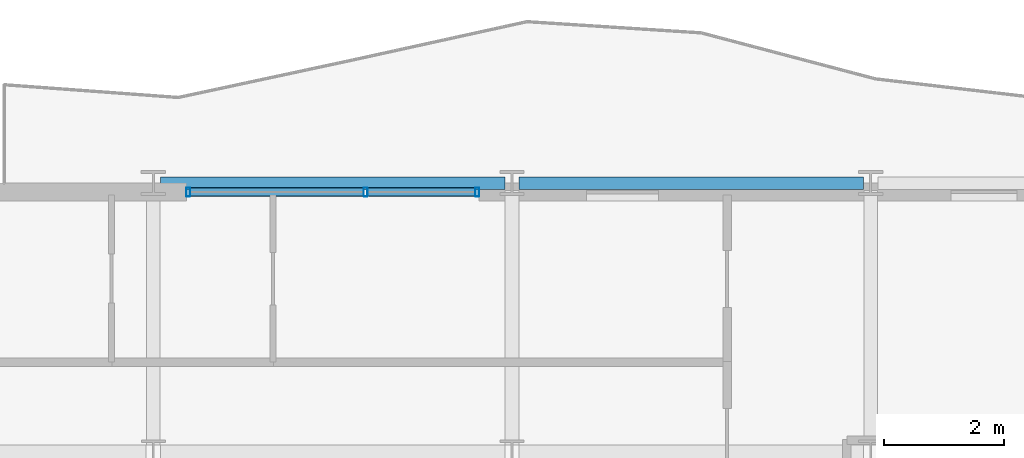
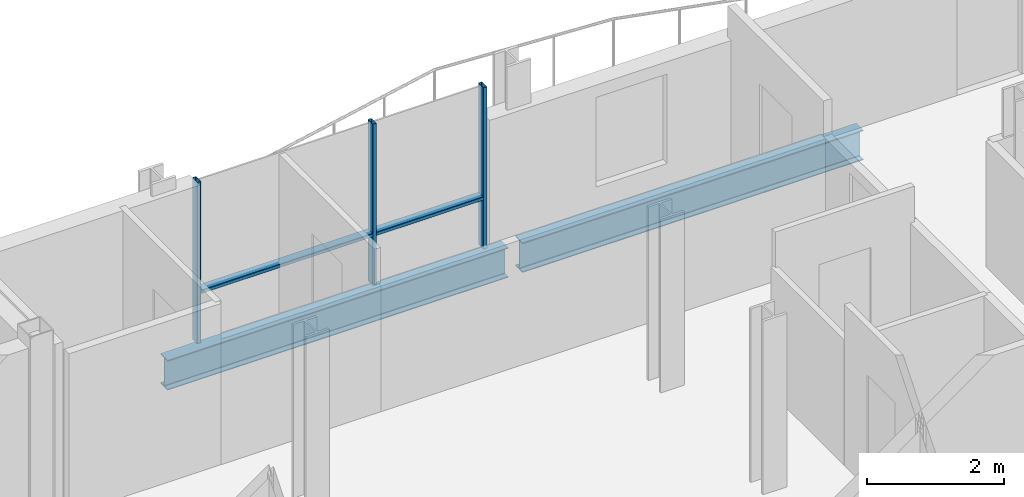
# One storey, part 23 of 41: 5 members, 2 beams, 1 element without a shape of its own.
"""IFC4 building model written with IfcOpenShell, lengths in metres."""

from ifc_helpers import new_model, si_unit, direction, frame, origin, origin_2d, place, context, subcontext, project, spatial, hollow_rectangle, i_section, extrude, material, layer, layer_set, material_profile, profile_set, type_object, element, aggregate, save


model = new_model("IFC4")

# Units and contexts
model_context = context("Model", 3, precision=1e-05, world=origin(), true_north=direction((0.0, 1.0)))
body_context = subcontext(model_context, "Body", "Model", "MODEL_VIEW")
ifc_project = project(units=[si_unit("LENGTHUNIT", "METRE"), si_unit("AREAUNIT", "SQUARE_METRE"), si_unit("VOLUMEUNIT", "CUBIC_METRE"), si_unit("PLANEANGLEUNIT", "RADIAN"), si_unit("MASSUNIT", "GRAM", prefix="KILO")], contexts=[model_context])

# Site, building, storey
site_placement = place(None, origin())
site = spatial("IfcSite", under=ifc_project, at=site_placement, CompositionType="ELEMENT")
building_placement = place(site_placement, origin())
building = spatial("IfcBuilding", under=site, at=building_placement, Name="Brevholm Reach", CompositionType="ELEMENT")
storey_placement = place(building_placement, frame((0.0, 0.0, 163.5)))
storey = spatial("IfcBuildingStorey", under=building, at=storey_placement, Name="L49", CompositionType="ELEMENT", Elevation=163.5)

# Beams
ifc_material_1 = material(Name="Structural Steel S355J2", Category="steel")
ifc_material_profile_1 = material_profile(ifc_material_1, i_section(OverallWidth=0.209228515625, OverallDepth=0.533203125, WebThickness=0.010009765625, FlangeThickness=0.015625, FilletRadius=0.0126953125, at=origin_2d()), Name="UKB 533x210x92")
ifc_profile_set_1 = profile_set([ifc_material_profile_1], Name="Structural Steel S355J2")
beam_type = type_object("IfcBeamType", Name="BM-SP533", PredefinedType="SPANDREL", material=ifc_profile_set_1)
for number, where, z_axis, x_axis, name in (
    (1, (6.1201171875, 31.0, -0.486572265625), (1.0, 0.0, 0.0), (0.0, 1.0, 0.0), "L49 SP-02 Framing Beam"),
    (2, (12.1201171875, 31.0, -0.486572265625), (1.0, 0.0, 0.0), (0.0, 1.0, 0.0), "L49 SP-02 Framing Beam"),
):
    element("IfcBeam", number, at=place(storey_placement, frame(where, z_axis=z_axis, x_axis=x_axis)), inside=storey, type_object=beam_type, Name=name, PredefinedType="SPANDREL", context=body_context, shape_type="SweptSolid", body=[
        extrude(i_section(OverallWidth=0.209228515625, OverallDepth=0.533203125, WebThickness=0.010009765625, FlangeThickness=0.015625, FilletRadius=0.0126953125, at=origin_2d()), origin(), (0.0, 0.0, 1.0), 5.759765625),
    ])

# Curtain wall, members
ifc_material_2 = material(Name="Dark Anodised Aluminium 6063-T6 and Solar-Control Glass", Category="aluminium")
ifc_layer = layer(ifc_material_2, 0.14990234375)
ifc_layer_set = layer_set([ifc_layer], Name="Dark Anodised Aluminium 6063-T6 and Solar-Control Glass")
curtain_wall_type = type_object("IfcCurtainWallType", Name="CW-01", PredefinedType="NOTDEFINED", material=ifc_layer_set)
curtain_wall_placement = place(storey_placement, origin())
curtain_wall = element("IfcCurtainWall", 3, at=curtain_wall_placement, inside=storey, type_object=curtain_wall_type, Name="L49 Curtain Wall CW-01", PredefinedType="NOTDEFINED")
ifc_material_3 = material(Name="Dark Anodised Aluminium 6063-T6", Category="aluminium")
ifc_material_profile_2 = material_profile(ifc_material_3, hollow_rectangle(XDim=0.06494140625, YDim=0.14990234375, WallThickness=0.0048828125, InnerFilletRadius=0.0048828125, OuterFilletRadius=0.010009765625, at=origin_2d()), Name="RHS 150x65x5")
ifc_profile_set_2 = profile_set([ifc_material_profile_2], Name="Dark Anodised Aluminium 6063-T6")
member_type_1 = type_object("IfcMemberType", Name="CWM-150", PredefinedType="MULLION", material=ifc_profile_set_2)
member_1_placement = place(storey_placement, frame((6.58251953125, 30.85009765625, 0.0), z_axis=(0.0, 0.0, 1.0), x_axis=(1.0, 0.0, 0.0)))
member_1 = element("IfcMember", 4, at=member_1_placement, type_object=member_type_1, Name="CM-150 Mullion 1", PredefinedType="MULLION", context=body_context, shape_type="SweptSolid", body=[
    extrude(hollow_rectangle(XDim=0.06494140625, YDim=0.14990234375, WallThickness=0.0048828125, InnerFilletRadius=0.0048828125, OuterFilletRadius=0.010009765625, at=origin_2d()), origin(), (0.0, 0.0, 1.0), 2.8798828125),
])
member_2_placement = place(storey_placement, frame((9.550048828125, 30.85009765625, 0.0), z_axis=(0.0, 0.0, 1.0), x_axis=(1.0, 0.0, 0.0)))
member_2 = element("IfcMember", 5, at=member_2_placement, type_object=member_type_1, Name="CM-150 Mullion 2", PredefinedType="MULLION", context=body_context, shape_type="SweptSolid", body=[
    extrude(hollow_rectangle(XDim=0.06494140625, YDim=0.14990234375, WallThickness=0.0048828125, InnerFilletRadius=0.0048828125, OuterFilletRadius=0.010009765625, at=origin_2d()), origin(), (0.0, 0.0, 1.0), 2.8798828125),
])
member_3_placement = place(storey_placement, frame((11.41748046875, 30.85009765625, 0.0), z_axis=(0.0, 0.0, 1.0), x_axis=(1.0, 0.0, 0.0)))
member_3 = element("IfcMember", 6, at=member_3_placement, type_object=member_type_1, Name="CM-150 Mullion 3", PredefinedType="MULLION", context=body_context, shape_type="SweptSolid", body=[
    extrude(hollow_rectangle(XDim=0.06494140625, YDim=0.14990234375, WallThickness=0.0048828125, InnerFilletRadius=0.0048828125, OuterFilletRadius=0.010009765625, at=origin_2d()), origin(), (0.0, 0.0, 1.0), 2.8798828125),
])
ifc_material_4 = material(Name="Dark Anodised Aluminium 6063-T6", Category="aluminium")
ifc_material_profile_3 = material_profile(ifc_material_4, hollow_rectangle(XDim=0.06494140625, YDim=0.14990234375, WallThickness=0.0048828125, InnerFilletRadius=0.0048828125, OuterFilletRadius=0.010009765625, at=origin_2d()), Name="RHS 150x65x5")
ifc_profile_set_3 = profile_set([ifc_material_profile_3], Name="Dark Anodised Aluminium 6063-T6")
member_type_2 = type_object("IfcMemberType", Name="CWT-150", PredefinedType="NOTDEFINED", material=ifc_profile_set_3)
member_4_placement = place(storey_placement, frame((6.614990234375, 30.85009765625, 0.89990234375), z_axis=(1.0, 0.0, 0.0), x_axis=(0.0, 0.0, 1.0)))
member_4 = element("IfcMember", 7, at=member_4_placement, type_object=member_type_2, Name="CT-150 Transom 1.1", ObjectType="TRANSOM", PredefinedType="USERDEFINED", context=body_context, shape_type="SweptSolid", body=[
    extrude(hollow_rectangle(XDim=0.06494140625, YDim=0.14990234375, WallThickness=0.0048828125, InnerFilletRadius=0.0048828125, OuterFilletRadius=0.010009765625, at=origin_2d()), origin(), (0.0, 0.0, 1.0), 2.902587890625),
])
member_5_placement = place(storey_placement, frame((9.58251953125, 30.85009765625, 0.89990234375), z_axis=(1.0, 0.0, 0.0), x_axis=(0.0, 0.0, 1.0)))
member_5 = element("IfcMember", 8, at=member_5_placement, type_object=member_type_2, Name="CT-150 Transom 2.1", ObjectType="TRANSOM", PredefinedType="USERDEFINED", context=body_context, shape_type="SweptSolid", body=[
    extrude(hollow_rectangle(XDim=0.06494140625, YDim=0.14990234375, WallThickness=0.0048828125, InnerFilletRadius=0.0048828125, OuterFilletRadius=0.010009765625, at=origin_2d()), origin(), (0.0, 0.0, 1.0), 1.802490234375),
])
aggregate(curtain_wall, [member_1, member_2, member_3, member_4, member_5])

save(model, "model.ifc")
